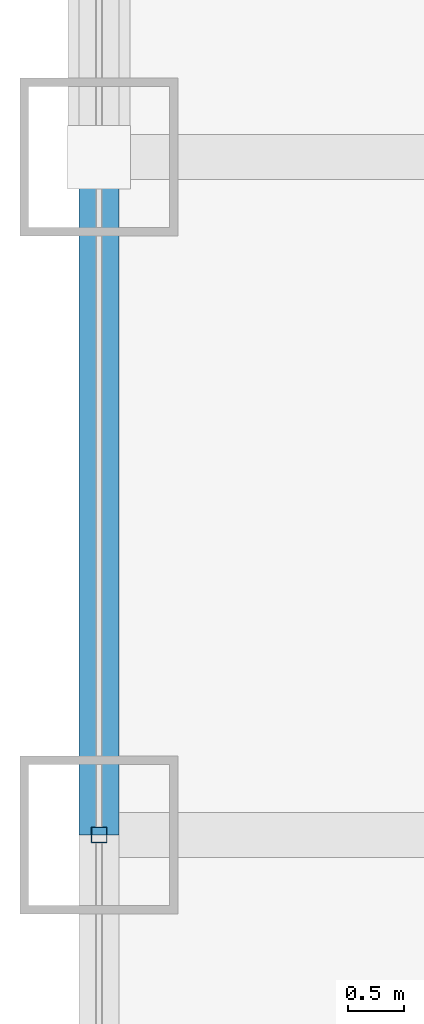
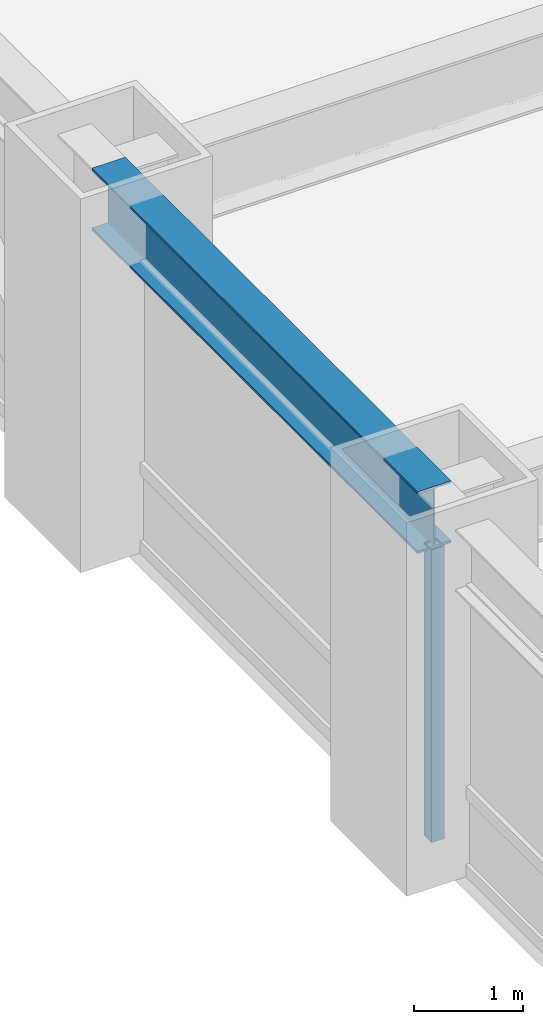
# One storey, part 8 of 28: 1 beam, 1 member, 1 element without a shape of its own.
"""IFC4 building model written with IfcOpenShell, lengths in metres."""

from ifc_helpers import new_model, si_unit, direction, frame, origin, origin_2d, place, context, subcontext, project, spatial, hollow_rectangle, i_section, extrude, source, transform, mapped, material, material_profile, profile_set, type_object, element, aggregate, save


model = new_model("IFC4")

# Units and contexts
model_context = context("Model", 3, precision=1e-05, world=origin(), true_north=direction((0.0, 1.0)))
body_context = subcontext(model_context, "Body", "Model", "MODEL_VIEW")
ifc_project = project(units=[si_unit("LENGTHUNIT", "METRE"), si_unit("AREAUNIT", "SQUARE_METRE"), si_unit("VOLUMEUNIT", "CUBIC_METRE"), si_unit("PLANEANGLEUNIT", "RADIAN"), si_unit("MASSUNIT", "GRAM", prefix="KILO")], contexts=[model_context])

# Site, building, storey
site_placement = place(None, origin())
site = spatial("IfcSite", under=ifc_project, at=site_placement, CompositionType="ELEMENT")
building_placement = place(site_placement, origin())
building = spatial("IfcBuilding", under=site, at=building_placement, Name="Khorayat Bourse Tower", CompositionType="ELEMENT")
storey_placement = place(building_placement, frame((0.0, 0.0, 83.0)))
storey = spatial("IfcBuildingStorey", under=building, at=storey_placement, Name="L18", CompositionType="ELEMENT", Elevation=83.0)

# Beam
ifc_material_1 = material(Name="Steel ASTM A992 Grade 50", Category="steel")
ifc_material_profile_1 = material_profile(ifc_material_1, i_section(OverallWidth=0.35498046875, OverallDepth=0.695068359375, WebThickness=0.015380859375, FlangeThickness=0.02490234375, FilletRadius=0.01806640625, at=origin_2d()), Name="W690X217")
ifc_profile_set_1 = profile_set([ifc_material_profile_1], Name="Steel ASTM A992 Grade 50")
beam_type = type_object("IfcBeamType", Name="BM-SPAN-690", PredefinedType="SPANDREL", material=ifc_profile_set_1)
shared_shape_1 = source(origin(), body_context, "Body", "SweptSolid", [
    extrude(i_section(OverallWidth=0.35498046875, OverallDepth=0.695068359375, WebThickness=0.015380859375, FlangeThickness=0.02490234375, FilletRadius=0.01806640625, at=origin_2d()), origin(), (0.0, 0.0, 1.0), 6.0),
])
beam_placement = place(storey_placement, frame((-32.0, 0.0, 3.592529296875), z_axis=(0.0, 1.0, 0.0), x_axis=(-1.0, 0.0, 0.0)))
element("IfcBeam", 1, at=beam_placement, inside=storey, type_object=beam_type, Name="L18 BM-SPAN-690 BM-L18-SPN-057", PredefinedType="SPANDREL", context=body_context, shape_type="MappedRepresentation", body=[
    mapped(shared_shape_1, transform((0.0, 0.0, 0.0), scale=1.0)),
])

# Curtain wall, member
ifc_material_2 = material(Name="Aluminium EN AW-6063 T6", Category="aluminium")
curtain_wall_type = type_object("IfcCurtainWallType", Name="CW-SYS-02", PredefinedType="NOTDEFINED", material=ifc_material_2)
curtain_wall_placement = place(storey_placement, origin())
curtain_wall = element("IfcCurtainWall", 2, at=curtain_wall_placement, inside=storey, type_object=curtain_wall_type, Name="L18 Curtain Wall CW-L18-W1", PredefinedType="NOTDEFINED")
ifc_material_profile_2 = material_profile(ifc_material_2, hollow_rectangle(XDim=0.139892578125, YDim=0.139892578125, WallThickness=0.006103515625, at=origin_2d()), Name="ALU 140x140x6")
ifc_profile_set_2 = profile_set([ifc_material_profile_2], Name="Aluminium EN AW-6063 T6")
member_type = type_object("IfcMemberType", Name="CWM-VERT-140", PredefinedType="MULLION", material=ifc_profile_set_2)
shared_shape_2 = source(origin(), body_context, "Body", "SweptSolid", [
    extrude(hollow_rectangle(XDim=0.139892578125, YDim=0.139892578125, WallThickness=0.006103515625, at=origin_2d()), origin(), (0.0, 0.0, 1.0), 3.2900390625),
])
member_placement = place(storey_placement, frame((-32.0, 0.0, 0.0), z_axis=(0.0, 0.0, 1.0), x_axis=(-1.0, 0.0, 0.0)))
member = element("IfcMember", 3, at=member_placement, type_object=member_type, Name="CW-L18-W1 Vertical Mullion 2", PredefinedType="MULLION", context=body_context, shape_type="MappedRepresentation", body=[
    mapped(shared_shape_2, transform((0.0, 0.0, 0.0), scale=1.0)),
])
aggregate(curtain_wall, [member])

save(model, "model.ifc")
